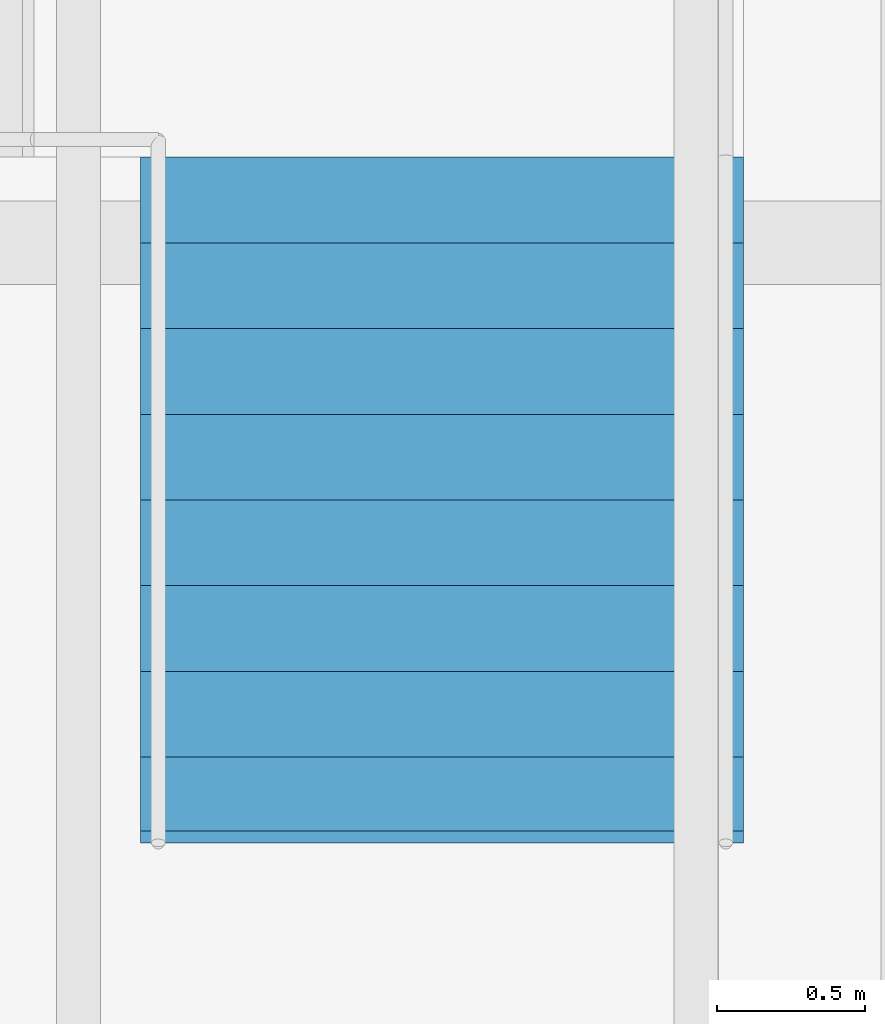
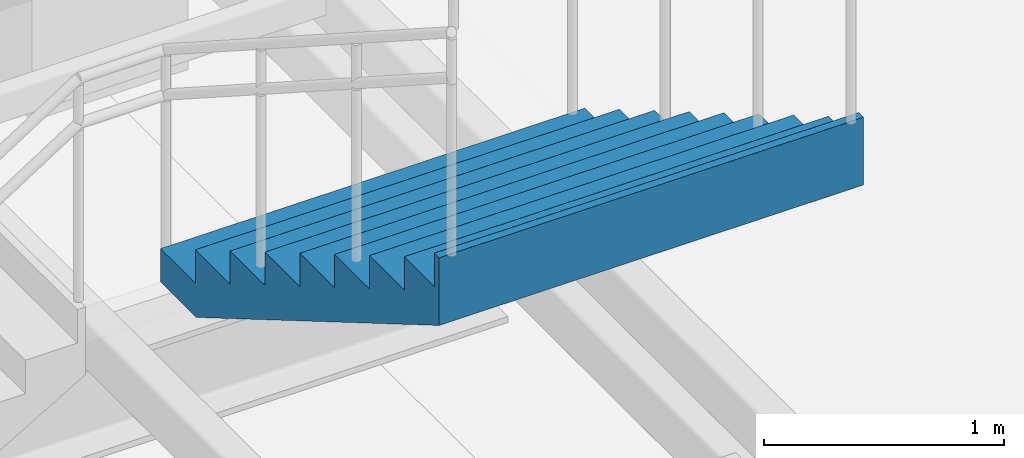
# One storey, part 48 of 55: 1 stair flight, 1 element without a shape of its own.
"""IFC4 building model written with IfcOpenShell, lengths in metres."""

from ifc_helpers import new_model, si_unit, direction, frame, origin, place, context, subcontext, project, spatial, triangles, material, type_object, element, aggregate, save


model = new_model("IFC4")

# Units and contexts
model_context = context("Model", 3, precision=1e-05, world=origin(), true_north=direction((0.0, 1.0)))
body_context = subcontext(model_context, "Body", "Model", "MODEL_VIEW")
ifc_project = project(units=[si_unit("LENGTHUNIT", "METRE"), si_unit("AREAUNIT", "SQUARE_METRE"), si_unit("VOLUMEUNIT", "CUBIC_METRE"), si_unit("PLANEANGLEUNIT", "RADIAN"), si_unit("MASSUNIT", "GRAM", prefix="KILO")], contexts=[model_context])

# Site, building, storey
site_placement = place(None, origin())
site = spatial("IfcSite", under=ifc_project, at=site_placement, CompositionType="ELEMENT")
building_placement = place(site_placement, origin())
building = spatial("IfcBuilding", under=site, at=building_placement, Name="Sillaruma Civic Art Gallery", CompositionType="ELEMENT")
storey_placement = place(building_placement, frame((0.0, 0.0, 37.739990234375)))
storey = spatial("IfcBuildingStorey", under=building, at=storey_placement, Name="L07", CompositionType="ELEMENT", Elevation=37.739990234375)

# Stair, stair flight
ifc_material = material(Name="Concrete H35 (35 MPa)", Category="concrete")
stair_type = type_object("IfcStairType", Name="STR-3F-27", PredefinedType="TWO_QUARTER_TURN_STAIR", material=ifc_material)
stair_placement = place(storey_placement, origin())
stair = element("IfcStair", 1, at=stair_placement, inside=storey, type_object=stair_type, Name="Monumental Gallery Feature Stair ST-G04 (L07)", PredefinedType="TWO_QUARTER_TURN_STAIR")
stair_flight_type = type_object("IfcStairFlightType", Name="SFL-STR-9", PredefinedType="STRAIGHT", material=ifc_material)
stair_flight_placement = place(storey_placement, frame((90.340087890625, 44.06005859375, 3.06005859375), z_axis=(0.0, 0.0, 1.0), x_axis=(0.0, -1.0, 0.0)))
stair_flight = element("IfcStairFlight", 2, at=stair_flight_placement, type_object=stair_flight_type, Name="ST-G04 flight 3", NumberOfRisers=9, NumberOfTreads=8, PredefinedType="STRAIGHT", RiserHeight=0.17, TreadLength=0.29, context=body_context, shape_type="Tessellation", body=[
    triangles([(0.0, -1.02001953125, 0.0), (0.29, -1.02001953125, 0.0), (0.296482, -1.02001953125, 0.0), (0.58, -1.02001953125, 0.1662), (0.87, -1.02001953125, 0.3362), (1.16, -1.02001953125, 0.5062), (1.45, -1.02001953125, 0.6762), (1.74, -1.02001953125, 0.8462), (2.03, -1.02001953125, 1.0162), (2.280068, -1.02001953125, 1.162792), (2.320068, -1.02001953125, 1.18624), (2.320068, -1.02001953125, 1.53), (2.280068, -1.02001953125, 1.53), (2.280068, -1.02001953125, 1.36), (2.03, -1.02001953125, 1.36), (2.03, -1.02001953125, 1.19), (1.74, -1.02001953125, 1.19), (1.74, -1.02001953125, 1.02), (1.45, -1.02001953125, 1.02), (1.45, -1.02001953125, 0.85), (1.16, -1.02001953125, 0.85), (1.16, -1.02001953125, 0.68), (0.87, -1.02001953125, 0.68), (0.87, -1.02001953125, 0.51), (0.58, -1.02001953125, 0.51), (0.58, -1.02001953125, 0.34), (0.296482, -1.02001953125, 0.34), (0.29, -1.02001953125, 0.34), (0.29, -1.02001953125, 0.17), (0.0, -1.02001953125, 0.17), (0.0, -0.05, 0.0), (0.29, -0.05, 0.0), (0.296482, -0.05, 0.0), (0.58, -0.05, 0.1662), (0.87, -0.05, 0.3362), (1.16, -0.05, 0.5062), (1.45, -0.05, 0.6762), (1.74, -0.05, 0.8462), (2.03, -0.05, 1.0162), (2.280068, -0.05, 1.162792), (2.320068, -0.05, 1.18624), (2.320068, -0.05, 1.53), (2.280068, -0.05, 1.53), (2.280068, -0.05, 1.36), (2.03, -0.05, 1.36), (2.03, -0.05, 1.19), (1.74, -0.05, 1.19), (1.74, -0.05, 1.02), (1.45, -0.05, 1.02), (1.45, -0.05, 0.85), (1.16, -0.05, 0.85), (1.16, -0.05, 0.68), (0.87, -0.05, 0.68), (0.87, -0.05, 0.51), (0.58, -0.05, 0.51), (0.58, -0.05, 0.34), (0.296482, -0.05, 0.34), (0.29, -0.05, 0.34), (0.29, -0.05, 0.17), (0.0, -0.05, 0.17), (0.0, -0.0375, 0.0), (0.29, -0.0375, 0.0), (0.296482, -0.0375, 0.0), (0.58, -0.0375, 0.1662), (0.87, -0.0375, 0.3362), (1.16, -0.0375, 0.5062), (1.45, -0.0375, 0.6762), (1.74, -0.0375, 0.8462), (2.03, -0.0375, 1.0162), (2.280068, -0.0375, 1.162792), (2.320068, -0.0375, 1.18624), (2.320068, -0.0375, 1.53), (2.280068, -0.0375, 1.53), (2.280068, -0.0375, 1.36), (2.03, -0.0375, 1.36), (2.03, -0.0375, 1.19), (1.74, -0.0375, 1.19), (1.74, -0.0375, 1.02), (1.45, -0.0375, 1.02), (1.45, -0.0375, 0.85), (1.16, -0.0375, 0.85), (1.16, -0.0375, 0.68), (0.87, -0.0375, 0.68), (0.87, -0.0375, 0.51), (0.58, -0.0375, 0.51), (0.58, -0.0375, 0.34), (0.296482, -0.0375, 0.34), (0.29, -0.0375, 0.34), (0.29, -0.0375, 0.17), (0.0, -0.0375, 0.17), (0.0, -0.025, 0.0), (0.29, -0.025, 0.0), (0.296482, -0.025, 0.0), (0.58, -0.025, 0.1662), (0.87, -0.025, 0.3362), (1.16, -0.025, 0.5062), (1.45, -0.025, 0.6762), (1.74, -0.025, 0.8462), (2.03, -0.025, 1.0162), (2.280068, -0.025, 1.162792), (2.320068, -0.025, 1.18624), (2.320068, -0.025, 1.53), (2.280068, -0.025, 1.53), (2.280068, -0.025, 1.36), (2.03, -0.025, 1.36), (2.03, -0.025, 1.19), (1.74, -0.025, 1.19), (1.74, -0.025, 1.02), (1.45, -0.025, 1.02), (1.45, -0.025, 0.85), (1.16, -0.025, 0.85), (1.16, -0.025, 0.68), (0.87, -0.025, 0.68), (0.87, -0.025, 0.51), (0.58, -0.025, 0.51), (0.58, -0.025, 0.34), (0.296482, -0.025, 0.34), (0.29, -0.025, 0.34), (0.29, -0.025, 0.17), (0.0, -0.025, 0.17), (0.0, -0.0125, 0.0), (0.29, -0.0125, 0.0), (0.296482, -0.0125, 0.0), (0.58, -0.0125, 0.1662), (0.87, -0.0125, 0.3362), (1.16, -0.0125, 0.5062), (1.45, -0.0125, 0.6762), (1.74, -0.0125, 0.8462), (2.03, -0.0125, 1.0162), (2.280068, -0.0125, 1.162792), (2.320068, -0.0125, 1.18624), (2.320068, -0.0125, 1.53), (2.280068, -0.0125, 1.53), (2.280068, -0.0125, 1.36), (2.03, -0.0125, 1.36), (2.03, -0.0125, 1.19), (1.74, -0.0125, 1.19), (1.74, -0.0125, 1.02), (1.45, -0.0125, 1.02), (1.45, -0.0125, 0.85), (1.16, -0.0125, 0.85), (1.16, -0.0125, 0.68), (0.87, -0.0125, 0.68), (0.87, -0.0125, 0.51), (0.58, -0.0125, 0.51), (0.58, -0.0125, 0.34), (0.296482, -0.0125, 0.34), (0.29, -0.0125, 0.34), (0.29, -0.0125, 0.17), (0.0, -0.0125, 0.17), (0.0, 0.0, 0.0), (0.29, 0.0, 0.0), (0.296482, 0.0, 0.0), (0.58, 0.0, 0.1662), (0.87, 0.0, 0.3362), (1.16, 0.0, 0.5062), (1.45, 0.0, 0.6762), (1.74, 0.0, 0.8462), (2.03, 0.0, 1.0162), (2.280068, 0.0, 1.162792), (2.320068, 0.0, 1.18624), (2.320068, 0.0, 1.53), (2.280068, 0.0, 1.53), (2.280068, 0.0, 1.36), (2.03, 0.0, 1.36), (2.03, 0.0, 1.19), (1.74, 0.0, 1.19), (1.74, 0.0, 1.02), (1.45, 0.0, 1.02), (1.45, 0.0, 0.85), (1.16, 0.0, 0.85), (1.16, 0.0, 0.68), (0.87, 0.0, 0.68), (0.87, 0.0, 0.51), (0.58, 0.0, 0.51), (0.58, 0.0, 0.34), (0.296482, 0.0, 0.34), (0.29, 0.0, 0.34), (0.29, 0.0, 0.17), (0.0, 0.0, 0.17), (0.0, 0.0125, 0.0), (0.29, 0.0125, 0.0), (0.296482, 0.0125, 0.0), (0.58, 0.0125, 0.1662), (0.87, 0.0125, 0.3362), (1.16, 0.0125, 0.5062), (1.45, 0.0125, 0.6762), (1.74, 0.0125, 0.8462), (2.03, 0.0125, 1.0162), (2.280068, 0.0125, 1.162792), (2.320068, 0.0125, 1.18624), (2.320068, 0.0125, 1.53), (2.280068, 0.0125, 1.53), (2.280068, 0.0125, 1.36), (2.03, 0.0125, 1.36), (2.03, 0.0125, 1.19), (1.74, 0.0125, 1.19), (1.74, 0.0125, 1.02), (1.45, 0.0125, 1.02), (1.45, 0.0125, 0.85), (1.16, 0.0125, 0.85), (1.16, 0.0125, 0.68), (0.87, 0.0125, 0.68), (0.87, 0.0125, 0.51), (0.58, 0.0125, 0.51), (0.58, 0.0125, 0.34), (0.296482, 0.0125, 0.34), (0.29, 0.0125, 0.34), (0.29, 0.0125, 0.17), (0.0, 0.0125, 0.17), (0.0, 0.025, 0.0), (0.29, 0.025, 0.0), (0.296482, 0.025, 0.0), (0.58, 0.025, 0.1662), (0.87, 0.025, 0.3362), (1.16, 0.025, 0.5062), (1.45, 0.025, 0.6762), (1.74, 0.025, 0.8462), (2.03, 0.025, 1.0162), (2.280068, 0.025, 1.162792), (2.320068, 0.025, 1.18624), (2.320068, 0.025, 1.53), (2.280068, 0.025, 1.53), (2.280068, 0.025, 1.36), (2.03, 0.025, 1.36), (2.03, 0.025, 1.19), (1.74, 0.025, 1.19), (1.74, 0.025, 1.02), (1.45, 0.025, 1.02), (1.45, 0.025, 0.85), (1.16, 0.025, 0.85), (1.16, 0.025, 0.68), (0.87, 0.025, 0.68), (0.87, 0.025, 0.51), (0.58, 0.025, 0.51), (0.58, 0.025, 0.34), (0.296482, 0.025, 0.34), (0.29, 0.025, 0.34), (0.29, 0.025, 0.17), (0.0, 0.025, 0.17), (0.0, 0.0375, 0.0), (0.29, 0.0375, 0.0), (0.296482, 0.0375, 0.0), (0.58, 0.0375, 0.1662), (0.87, 0.0375, 0.3362), (1.16, 0.0375, 0.5062), (1.45, 0.0375, 0.6762), (1.74, 0.0375, 0.8462), (2.03, 0.0375, 1.0162), (2.280068, 0.0375, 1.162792), (2.320068, 0.0375, 1.18624), (2.320068, 0.0375, 1.53), (2.280068, 0.0375, 1.53), (2.280068, 0.0375, 1.36), (2.03, 0.0375, 1.36), (2.03, 0.0375, 1.19), (1.74, 0.0375, 1.19), (1.74, 0.0375, 1.02), (1.45, 0.0375, 1.02), (1.45, 0.0375, 0.85), (1.16, 0.0375, 0.85), (1.16, 0.0375, 0.68), (0.87, 0.0375, 0.68), (0.87, 0.0375, 0.51), (0.58, 0.0375, 0.51), (0.58, 0.0375, 0.34), (0.296482, 0.0375, 0.34), (0.29, 0.0375, 0.34), (0.29, 0.0375, 0.17), (0.0, 0.0375, 0.17), (0.0, 0.05, 0.0), (0.29, 0.05, 0.0), (0.296482, 0.05, 0.0), (0.58, 0.05, 0.1662), (0.87, 0.05, 0.3362), (1.16, 0.05, 0.5062), (1.45, 0.05, 0.6762), (1.74, 0.05, 0.8462), (2.03, 0.05, 1.0162), (2.280068, 0.05, 1.162792), (2.320068, 0.05, 1.18624), (2.320068, 0.05, 1.53), (2.280068, 0.05, 1.53), (2.280068, 0.05, 1.36), (2.03, 0.05, 1.36), (2.03, 0.05, 1.19), (1.74, 0.05, 1.19), (1.74, 0.05, 1.02), (1.45, 0.05, 1.02), (1.45, 0.05, 0.85), (1.16, 0.05, 0.85), (1.16, 0.05, 0.68), (0.87, 0.05, 0.68), (0.87, 0.05, 0.51), (0.58, 0.05, 0.51), (0.58, 0.05, 0.34), (0.296482, 0.05, 0.34), (0.29, 0.05, 0.34), (0.29, 0.05, 0.17), (0.0, 0.05, 0.17), (0.0, 1.02001953125, 0.0), (0.29, 1.02001953125, 0.0), (0.296482, 1.02001953125, 0.0), (0.58, 1.02001953125, 0.1662), (0.87, 1.02001953125, 0.3362), (1.16, 1.02001953125, 0.5062), (1.45, 1.02001953125, 0.6762), (1.74, 1.02001953125, 0.8462), (2.03, 1.02001953125, 1.0162), (2.280068, 1.02001953125, 1.162792), (2.320068, 1.02001953125, 1.18624), (2.320068, 1.02001953125, 1.53), (2.280068, 1.02001953125, 1.53), (2.280068, 1.02001953125, 1.36), (2.03, 1.02001953125, 1.36), (2.03, 1.02001953125, 1.19), (1.74, 1.02001953125, 1.19), (1.74, 1.02001953125, 1.02), (1.45, 1.02001953125, 1.02), (1.45, 1.02001953125, 0.85), (1.16, 1.02001953125, 0.85), (1.16, 1.02001953125, 0.68), (0.87, 1.02001953125, 0.68), (0.87, 1.02001953125, 0.51), (0.58, 1.02001953125, 0.51), (0.58, 1.02001953125, 0.34), (0.296482, 1.02001953125, 0.34), (0.29, 1.02001953125, 0.34), (0.29, 1.02001953125, 0.17), (0.0, 1.02001953125, 0.17)], [[1, 2, 29], [1, 29, 30], [2, 3, 27], [2, 27, 29], [29, 27, 28], [3, 4, 26], [3, 26, 27], [4, 5, 24], [4, 24, 26], [26, 24, 25], [5, 6, 22], [5, 22, 24], [24, 22, 23], [6, 7, 20], [6, 20, 22], [22, 20, 21], [7, 8, 18], [7, 18, 20], [20, 18, 19], [8, 9, 16], [8, 16, 18], [18, 16, 17], [9, 10, 14], [9, 14, 16], [16, 14, 15], [10, 11, 12], [10, 12, 14], [14, 12, 13], [329, 302, 301], [330, 329, 301], [327, 303, 302], [329, 327, 302], [328, 327, 329], [326, 304, 303], [327, 326, 303], [324, 305, 304], [326, 324, 304], [325, 324, 326], [322, 306, 305], [324, 322, 305], [323, 322, 324], [320, 307, 306], [322, 320, 306], [321, 320, 322], [318, 308, 307], [320, 318, 307], [319, 318, 320], [316, 309, 308], [318, 316, 308], [317, 316, 318], [314, 310, 309], [316, 314, 309], [315, 314, 316], [312, 311, 310], [314, 312, 310], [313, 312, 314], [2, 1, 31], [2, 31, 32], [3, 2, 32], [3, 32, 33], [4, 3, 33], [4, 33, 34], [5, 4, 34], [5, 34, 35], [6, 5, 35], [6, 35, 36], [7, 6, 36], [7, 36, 37], [8, 7, 37], [8, 37, 38], [9, 8, 38], [9, 38, 39], [10, 9, 39], [10, 39, 40], [11, 10, 40], [11, 40, 41], [12, 11, 41], [12, 41, 42], [13, 12, 42], [13, 42, 43], [14, 13, 43], [14, 43, 44], [15, 14, 44], [15, 44, 45], [16, 15, 45], [16, 45, 46], [17, 16, 46], [17, 46, 47], [18, 17, 47], [18, 47, 48], [19, 18, 48], [19, 48, 49], [20, 19, 49], [20, 49, 50], [21, 20, 50], [21, 50, 51], [22, 21, 51], [22, 51, 52], [23, 22, 52], [23, 52, 53], [24, 23, 53], [24, 53, 54], [25, 24, 54], [25, 54, 55], [26, 25, 55], [26, 55, 56], [27, 26, 56], [27, 56, 57], [28, 27, 57], [28, 57, 58], [29, 28, 58], [29, 58, 59], [30, 29, 59], [30, 59, 60], [1, 30, 60], [1, 60, 31], [32, 31, 61], [32, 61, 62], [33, 32, 62], [33, 62, 63], [34, 33, 63], [34, 63, 64], [35, 34, 64], [35, 64, 65], [36, 35, 65], [36, 65, 66], [37, 36, 66], [37, 66, 67], [38, 37, 67], [38, 67, 68], [39, 38, 68], [39, 68, 69], [40, 39, 69], [40, 69, 70], [41, 40, 70], [41, 70, 71], [42, 41, 71], [42, 71, 72], [43, 42, 72], [43, 72, 73], [44, 43, 73], [44, 73, 74], [45, 44, 74], [45, 74, 75], [46, 45, 75], [46, 75, 76], [47, 46, 76], [47, 76, 77], [48, 47, 77], [48, 77, 78], [49, 48, 78], [49, 78, 79], [50, 49, 79], [50, 79, 80], [51, 50, 80], [51, 80, 81], [52, 51, 81], [52, 81, 82], [53, 52, 82], [53, 82, 83], [54, 53, 83], [54, 83, 84], [55, 54, 84], [55, 84, 85], [56, 55, 85], [56, 85, 86], [57, 56, 86], [57, 86, 87], [58, 57, 87], [58, 87, 88], [59, 58, 88], [59, 88, 89], [60, 59, 89], [60, 89, 90], [31, 60, 90], [31, 90, 61], [62, 61, 91], [62, 91, 92], [63, 62, 92], [63, 92, 93], [64, 63, 93], [64, 93, 94], [65, 64, 94], [65, 94, 95], [66, 65, 95], [66, 95, 96], [67, 66, 96], [67, 96, 97], [68, 67, 97], [68, 97, 98], [69, 68, 98], [69, 98, 99], [70, 69, 99], [70, 99, 100], [71, 70, 100], [71, 100, 101], [72, 71, 101], [72, 101, 102], [73, 72, 102], [73, 102, 103], [74, 73, 103], [74, 103, 104], [75, 74, 104], [75, 104, 105], [76, 75, 105], [76, 105, 106], [77, 76, 106], [77, 106, 107], [78, 77, 107], [78, 107, 108], [79, 78, 108], [79, 108, 109], [80, 79, 109], [80, 109, 110], [81, 80, 110], [81, 110, 111], [82, 81, 111], [82, 111, 112], [83, 82, 112], [83, 112, 113], [84, 83, 113], [84, 113, 114], [85, 84, 114], [85, 114, 115], [86, 85, 115], [86, 115, 116], [87, 86, 116], [87, 116, 117], [88, 87, 117], [88, 117, 118], [89, 88, 118], [89, 118, 119], [90, 89, 119], [90, 119, 120], [61, 90, 120], [61, 120, 91], [92, 91, 121], [92, 121, 122], [93, 92, 122], [93, 122, 123], [94, 93, 123], [94, 123, 124], [95, 94, 124], [95, 124, 125], [96, 95, 125], [96, 125, 126], [97, 96, 126], [97, 126, 127], [98, 97, 127], [98, 127, 128], [99, 98, 128], [99, 128, 129], [100, 99, 129], [100, 129, 130], [101, 100, 130], [101, 130, 131], [102, 101, 131], [102, 131, 132], [103, 102, 132], [103, 132, 133], [104, 103, 133], [104, 133, 134], [105, 104, 134], [105, 134, 135], [106, 105, 135], [106, 135, 136], [107, 106, 136], [107, 136, 137], [108, 107, 137], [108, 137, 138], [109, 108, 138], [109, 138, 139], [110, 109, 139], [110, 139, 140], [111, 110, 140], [111, 140, 141], [112, 111, 141], [112, 141, 142], [113, 112, 142], [113, 142, 143], [114, 113, 143], [114, 143, 144], [115, 114, 144], [115, 144, 145], [116, 115, 145], [116, 145, 146], [117, 116, 146], [117, 146, 147], [118, 117, 147], [118, 147, 148], [119, 118, 148], [119, 148, 149], [120, 119, 149], [120, 149, 150], [91, 120, 150], [91, 150, 121], [122, 121, 151], [122, 151, 152], [123, 122, 152], [123, 152, 153], [124, 123, 153], [124, 153, 154], [125, 124, 154], [125, 154, 155], [126, 125, 155], [126, 155, 156], [127, 126, 156], [127, 156, 157], [128, 127, 157], [128, 157, 158], [129, 128, 158], [129, 158, 159], [130, 129, 159], [130, 159, 160], [131, 130, 160], [131, 160, 161], [132, 131, 161], [132, 161, 162], [133, 132, 162], [133, 162, 163], [134, 133, 163], [134, 163, 164], [135, 134, 164], [135, 164, 165], [136, 135, 165], [136, 165, 166], [137, 136, 166], [137, 166, 167], [138, 137, 167], [138, 167, 168], [139, 138, 168], [139, 168, 169], [140, 139, 169], [140, 169, 170], [141, 140, 170], [141, 170, 171], [142, 141, 171], [142, 171, 172], [143, 142, 172], [143, 172, 173], [144, 143, 173], [144, 173, 174], [145, 144, 174], [145, 174, 175], [146, 145, 175], [146, 175, 176], [147, 146, 176], [147, 176, 177], [148, 147, 177], [148, 177, 178], [149, 148, 178], [149, 178, 179], [150, 149, 179], [150, 179, 180], [121, 150, 180], [121, 180, 151], [152, 151, 181], [152, 181, 182], [153, 152, 182], [153, 182, 183], [154, 153, 183], [154, 183, 184], [155, 154, 184], [155, 184, 185], [156, 155, 185], [156, 185, 186], [157, 156, 186], [157, 186, 187], [158, 157, 187], [158, 187, 188], [159, 158, 188], [159, 188, 189], [160, 159, 189], [160, 189, 190], [161, 160, 190], [161, 190, 191], [162, 161, 191], [162, 191, 192], [163, 162, 192], [163, 192, 193], [164, 163, 193], [164, 193, 194], [165, 164, 194], [165, 194, 195], [166, 165, 195], [166, 195, 196], [167, 166, 196], [167, 196, 197], [168, 167, 197], [168, 197, 198], [169, 168, 198], [169, 198, 199], [170, 169, 199], [170, 199, 200], [171, 170, 200], [171, 200, 201], [172, 171, 201], [172, 201, 202], [173, 172, 202], [173, 202, 203], [174, 173, 203], [174, 203, 204], [175, 174, 204], [175, 204, 205], [176, 175, 205], [176, 205, 206], [177, 176, 206], [177, 206, 207], [178, 177, 207], [178, 207, 208], [179, 178, 208], [179, 208, 209], [180, 179, 209], [180, 209, 210], [151, 180, 210], [151, 210, 181], [182, 181, 211], [182, 211, 212], [183, 182, 212], [183, 212, 213], [184, 183, 213], [184, 213, 214], [185, 184, 214], [185, 214, 215], [186, 185, 215], [186, 215, 216], [187, 186, 216], [187, 216, 217], [188, 187, 217], [188, 217, 218], [189, 188, 218], [189, 218, 219], [190, 189, 219], [190, 219, 220], [191, 190, 220], [191, 220, 221], [192, 191, 221], [192, 221, 222], [193, 192, 222], [193, 222, 223], [194, 193, 223], [194, 223, 224], [195, 194, 224], [195, 224, 225], [196, 195, 225], [196, 225, 226], [197, 196, 226], [197, 226, 227], [198, 197, 227], [198, 227, 228], [199, 198, 228], [199, 228, 229], [200, 199, 229], [200, 229, 230], [201, 200, 230], [201, 230, 231], [202, 201, 231], [202, 231, 232], [203, 202, 232], [203, 232, 233], [204, 203, 233], [204, 233, 234], [205, 204, 234], [205, 234, 235], [206, 205, 235], [206, 235, 236], [207, 206, 236], [207, 236, 237], [208, 207, 237], [208, 237, 238], [209, 208, 238], [209, 238, 239], [210, 209, 239], [210, 239, 240], [181, 210, 240], [181, 240, 211], [212, 211, 241], [212, 241, 242], [213, 212, 242], [213, 242, 243], [214, 213, 243], [214, 243, 244], [215, 214, 244], [215, 244, 245], [216, 215, 245], [216, 245, 246], [217, 216, 246], [217, 246, 247], [218, 217, 247], [218, 247, 248], [219, 218, 248], [219, 248, 249], [220, 219, 249], [220, 249, 250], [221, 220, 250], [221, 250, 251], [222, 221, 251], [222, 251, 252], [223, 222, 252], [223, 252, 253], [224, 223, 253], [224, 253, 254], [225, 224, 254], [225, 254, 255], [226, 225, 255], [226, 255, 256], [227, 226, 256], [227, 256, 257], [228, 227, 257], [228, 257, 258], [229, 228, 258], [229, 258, 259], [230, 229, 259], [230, 259, 260], [231, 230, 260], [231, 260, 261], [232, 231, 261], [232, 261, 262], [233, 232, 262], [233, 262, 263], [234, 233, 263], [234, 263, 264], [235, 234, 264], [235, 264, 265], [236, 235, 265], [236, 265, 266], [237, 236, 266], [237, 266, 267], [238, 237, 267], [238, 267, 268], [239, 238, 268], [239, 268, 269], [240, 239, 269], [240, 269, 270], [211, 240, 270], [211, 270, 241], [242, 241, 271], [242, 271, 272], [243, 242, 272], [243, 272, 273], [244, 243, 273], [244, 273, 274], [245, 244, 274], [245, 274, 275], [246, 245, 275], [246, 275, 276], [247, 246, 276], [247, 276, 277], [248, 247, 277], [248, 277, 278], [249, 248, 278], [249, 278, 279], [250, 249, 279], [250, 279, 280], [251, 250, 280], [251, 280, 281], [252, 251, 281], [252, 281, 282], [253, 252, 282], [253, 282, 283], [254, 253, 283], [254, 283, 284], [255, 254, 284], [255, 284, 285], [256, 255, 285], [256, 285, 286], [257, 256, 286], [257, 286, 287], [258, 257, 287], [258, 287, 288], [259, 258, 288], [259, 288, 289], [260, 259, 289], [260, 289, 290], [261, 260, 290], [261, 290, 291], [262, 261, 291], [262, 291, 292], [263, 262, 292], [263, 292, 293], [264, 263, 293], [264, 293, 294], [265, 264, 294], [265, 294, 295], [266, 265, 295], [266, 295, 296], [267, 266, 296], [267, 296, 297], [268, 267, 297], [268, 297, 298], [269, 268, 298], [269, 298, 299], [270, 269, 299], [270, 299, 300], [241, 270, 300], [241, 300, 271], [272, 271, 301], [272, 301, 302], [273, 272, 302], [273, 302, 303], [274, 273, 303], [274, 303, 304], [275, 274, 304], [275, 304, 305], [276, 275, 305], [276, 305, 306], [277, 276, 306], [277, 306, 307], [278, 277, 307], [278, 307, 308], [279, 278, 308], [279, 308, 309], [280, 279, 309], [280, 309, 310], [281, 280, 310], [281, 310, 311], [282, 281, 311], [282, 311, 312], [283, 282, 312], [283, 312, 313], [284, 283, 313], [284, 313, 314], [285, 284, 314], [285, 314, 315], [286, 285, 315], [286, 315, 316], [287, 286, 316], [287, 316, 317], [288, 287, 317], [288, 317, 318], [289, 288, 318], [289, 318, 319], [290, 289, 319], [290, 319, 320], [291, 290, 320], [291, 320, 321], [292, 291, 321], [292, 321, 322], [293, 292, 322], [293, 322, 323], [294, 293, 323], [294, 323, 324], [295, 294, 324], [295, 324, 325], [296, 295, 325], [296, 325, 326], [297, 296, 326], [297, 326, 327], [298, 297, 327], [298, 327, 328], [299, 298, 328], [299, 328, 329], [300, 299, 329], [300, 329, 330], [271, 300, 330], [271, 330, 301]], closed=True),
])
aggregate(stair, [stair_flight])

save(model, "model.ifc")
